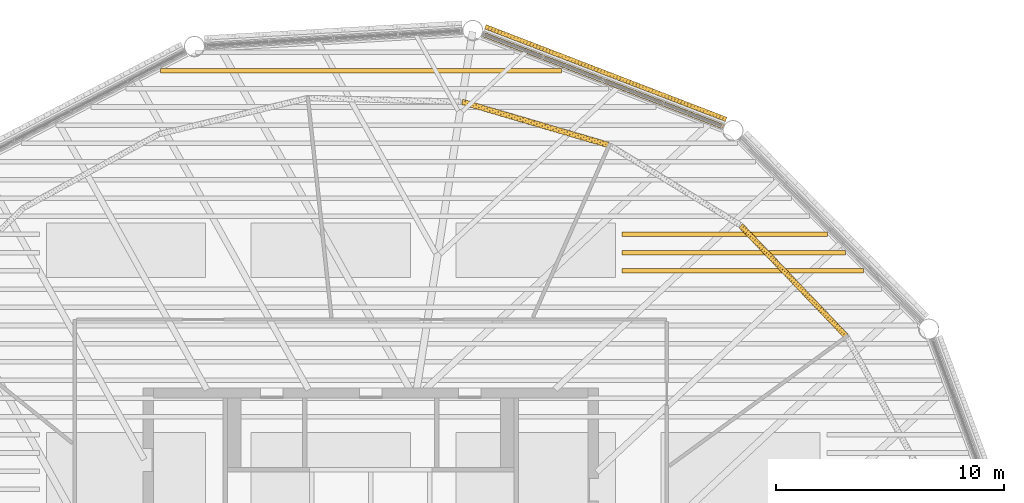
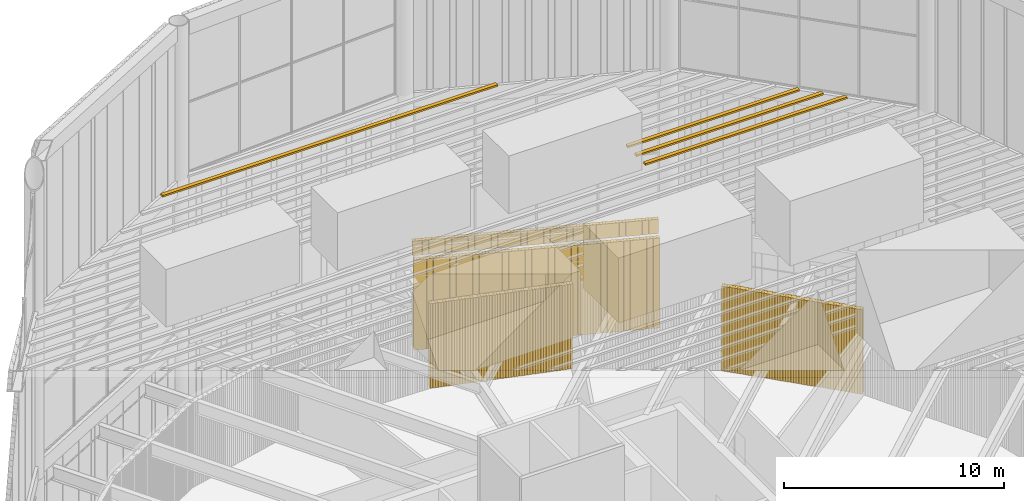
# One storey, part 106 of 117: 6 shading devices, 2 coverings.
"""IFC4 building model written with IfcOpenShell, lengths in metres."""

from ifc_helpers import new_model, si_unit, direction, frame, frame_2d, origin, origin_2d, place, context, subcontext, project, spatial, rectangle, composite_profile, extrude, material, type_object, element, save


model = new_model("IFC4")

# Units and contexts
model_context = context("Model", 3, precision=1e-05, world=origin(), true_north=direction((0.0, 1.0)))
body_context = subcontext(model_context, "Body", "Model", "MODEL_VIEW")
ifc_project = project(units=[si_unit("LENGTHUNIT", "METRE"), si_unit("AREAUNIT", "SQUARE_METRE"), si_unit("VOLUMEUNIT", "CUBIC_METRE"), si_unit("PLANEANGLEUNIT", "RADIAN"), si_unit("MASSUNIT", "GRAM", prefix="KILO")], contexts=[model_context])

# Site, building, storey
site_placement = place(None, origin())
site = spatial("IfcSite", under=ifc_project, at=site_placement, CompositionType="ELEMENT")
building_placement = place(site_placement, origin())
building = spatial("IfcBuilding", under=site, at=building_placement, Name="Tarsis Ring Headquarters", CompositionType="ELEMENT")
storey_placement = place(building_placement, frame((0.0, 0.0, 403.60009765625)))
storey = spatial("IfcBuildingStorey", under=building, at=storey_placement, Name="L95", CompositionType="ELEMENT", Elevation=403.60009765625)

# Coverings
ifc_material_1 = material(Name="Terracotta louvre", Category="masonry")
covering_type = type_object("IfcCoveringType", Name="Crown louvre fin", PredefinedType="CLADDING", material=ifc_material_1)
covering_1_placement = place(storey_placement, frame((15.489013671875, 24.464599609375, 0.0), z_axis=(0.0, 0.0, 1.0), x_axis=(-0.933251486172, 0.359201344017, 0.0)))
element("IfcCovering", 1, at=covering_1_placement, inside=storey, type_object=covering_type, Name="Crown louvre base 9", PredefinedType="CLADDING", context=body_context, shape_type="SweptSolid", body=[
    extrude(composite_profile([rectangle(XDim=0.14501953125, YDim=0.199951171875, at=frame_2d((0.072509765625, 0.0))), rectangle(XDim=0.14501953125, YDim=0.199951171875, at=frame_2d((0.2236328125, 0.0))), rectangle(XDim=0.14501953125, YDim=0.199951171875, at=frame_2d((0.375, 0.0))), rectangle(XDim=0.14501953125, YDim=0.199951171875, at=frame_2d((0.526123046875, 0.0))), rectangle(XDim=0.14501953125, YDim=0.199951171875, at=frame_2d((0.677490234375, 0.0))), rectangle(XDim=0.14501953125, YDim=0.199951171875, at=frame_2d((0.82861328125, 0.0))), rectangle(XDim=0.14501953125, YDim=0.199951171875, at=frame_2d((0.979736328125, 0.0))), rectangle(XDim=0.14501953125, YDim=0.199951171875, at=frame_2d((1.131103515625, 0.0))), rectangle(XDim=0.14501953125, YDim=0.199951171875, at=frame_2d((1.2822265625, 0.0))), rectangle(XDim=0.14501953125, YDim=0.199951171875, at=frame_2d((1.433349609375, 0.0))), rectangle(XDim=0.14501953125, YDim=0.199951171875, at=frame_2d((1.584716796875, 0.0))), rectangle(XDim=0.14501953125, YDim=0.199951171875, at=frame_2d((1.73583984375, 0.0))), rectangle(XDim=0.14501953125, YDim=0.199951171875, at=frame_2d((1.88720703125, 0.0))), rectangle(XDim=0.14501953125, YDim=0.199951171875, at=frame_2d((2.038330078125, 0.0))), rectangle(XDim=0.14501953125, YDim=0.199951171875, at=frame_2d((2.189453125, 0.0))), rectangle(XDim=0.14501953125, YDim=0.199951171875, at=frame_2d((2.3408203125, 0.0))), rectangle(XDim=0.14501953125, YDim=0.199951171875, at=frame_2d((2.491943359375, 0.0))), rectangle(XDim=0.14501953125, YDim=0.199951171875, at=frame_2d((2.64306640625, 0.0))), rectangle(XDim=0.14501953125, YDim=0.199951171875, at=frame_2d((2.79443359375, 0.0))), rectangle(XDim=0.14501953125, YDim=0.199951171875, at=frame_2d((2.945556640625, 0.0))), rectangle(XDim=0.14501953125, YDim=0.199951171875, at=frame_2d((3.096923828125, 0.0))), rectangle(XDim=0.14501953125, YDim=0.199951171875, at=frame_2d((3.248046875, 0.0))), rectangle(XDim=0.14501953125, YDim=0.199951171875, at=frame_2d((3.399169921875, 0.0))), rectangle(XDim=0.14501953125, YDim=0.199951171875, at=frame_2d((3.550537109375, 0.0))), rectangle(XDim=0.14501953125, YDim=0.199951171875, at=frame_2d((3.70166015625, 0.0))), rectangle(XDim=0.14501953125, YDim=0.199951171875, at=frame_2d((3.852783203125, 0.0))), rectangle(XDim=0.14501953125, YDim=0.199951171875, at=frame_2d((4.004150390625, 0.0))), rectangle(XDim=0.14501953125, YDim=0.199951171875, at=frame_2d((4.1552734375, 0.0))), rectangle(XDim=0.14501953125, YDim=0.199951171875, at=frame_2d((4.306640625, 0.0))), rectangle(XDim=0.14501953125, YDim=0.199951171875, at=frame_2d((4.457763671875, 0.0))), rectangle(XDim=0.14501953125, YDim=0.199951171875, at=frame_2d((4.60888671875, 0.0))), rectangle(XDim=0.14501953125, YDim=0.199951171875, at=frame_2d((4.76025390625, 0.0))), rectangle(XDim=0.14501953125, YDim=0.199951171875, at=frame_2d((4.911376953125, 0.0))), rectangle(XDim=0.14501953125, YDim=0.199951171875, at=frame_2d((5.0625, 0.0))), rectangle(XDim=0.14501953125, YDim=0.199951171875, at=frame_2d((5.2138671875, 0.0))), rectangle(XDim=0.14501953125, YDim=0.199951171875, at=frame_2d((5.364990234375, 0.0))), rectangle(XDim=0.14501953125, YDim=0.199951171875, at=frame_2d((5.516357421875, 0.0))), rectangle(XDim=0.14501953125, YDim=0.199951171875, at=frame_2d((5.66748046875, 0.0))), rectangle(XDim=0.14501953125, YDim=0.199951171875, at=frame_2d((5.818603515625, 0.0))), rectangle(XDim=0.14501953125, YDim=0.199951171875, at=frame_2d((5.969970703125, 0.0))), rectangle(XDim=0.14501953125, YDim=0.199951171875, at=frame_2d((6.12109375, 0.0))), rectangle(XDim=0.14501953125, YDim=0.199951171875, at=frame_2d((6.2724609375, 0.0))), rectangle(XDim=0.14501953125, YDim=0.199951171875, at=frame_2d((6.423583984375, 0.0))), rectangle(XDim=0.14501953125, YDim=0.199951171875, at=frame_2d((6.57470703125, 0.0))), rectangle(XDim=0.14501953125, YDim=0.199951171875, at=frame_2d((6.72607421875, 0.0))), rectangle(XDim=0.14501953125, YDim=0.199951171875, at=frame_2d((6.877197265625, 0.0))), rectangle(XDim=0.14501953125, YDim=0.199951171875, at=frame_2d((7.0283203125, 0.0))), rectangle(XDim=0.14501953125, YDim=0.199951171875, at=frame_2d((7.1796875, 0.0))), rectangle(XDim=0.14501953125, YDim=0.199951171875, at=frame_2d((7.330810546875, 0.0))), rectangle(XDim=0.14501953125, YDim=0.199951171875, at=frame_2d((7.482177734375, 0.0))), rectangle(XDim=0.14501953125, YDim=0.199951171875, at=frame_2d((7.63330078125, 0.0))), rectangle(XDim=0.14501953125, YDim=0.199951171875, at=frame_2d((7.784423828125, 0.0))), rectangle(XDim=0.14501953125, YDim=0.199951171875, at=frame_2d((7.935791015625, 0.0))), rectangle(XDim=0.14501953125, YDim=0.199951171875, at=frame_2d((8.0869140625, 0.0))), rectangle(XDim=0.14501953125, YDim=0.199951171875, at=frame_2d((8.238037109375, 0.0))), rectangle(XDim=0.14501953125, YDim=0.199951171875, at=frame_2d((8.389404296875, 0.0))), rectangle(XDim=0.14501953125, YDim=0.199951171875, at=frame_2d((8.54052734375, 0.0))), rectangle(XDim=0.14501953125, YDim=0.199951171875, at=frame_2d((8.69189453125, 0.0))), rectangle(XDim=0.14501953125, YDim=0.199951171875, at=frame_2d((8.843017578125, 0.0))), rectangle(XDim=0.14501953125, YDim=0.199951171875, at=frame_2d((8.994140625, 0.0))), rectangle(XDim=0.14501953125, YDim=0.199951171875, at=frame_2d((9.1455078125, 0.0))), rectangle(XDim=0.14501953125, YDim=0.199951171875, at=frame_2d((9.296630859375, 0.0))), rectangle(XDim=0.14501953125, YDim=0.199951171875, at=frame_2d((9.44775390625, 0.0))), rectangle(XDim=0.14501953125, YDim=0.199951171875, at=frame_2d((9.59912109375, 0.0))), rectangle(XDim=0.14501953125, YDim=0.199951171875, at=frame_2d((9.750244140625, 0.0))), rectangle(XDim=0.14501953125, YDim=0.199951171875, at=frame_2d((9.901611328125, 0.0))), rectangle(XDim=0.14501953125, YDim=0.199951171875, at=frame_2d((10.052734375, 0.0))), rectangle(XDim=0.14501953125, YDim=0.199951171875, at=frame_2d((10.203857421875, 0.0))), rectangle(XDim=0.14501953125, YDim=0.199951171875, at=frame_2d((10.355224609375, 0.0))), rectangle(XDim=0.14501953125, YDim=0.199951171875, at=frame_2d((10.50634765625, 0.0))), rectangle(XDim=0.14501953125, YDim=0.199951171875, at=frame_2d((10.657470703125, 0.0))), rectangle(XDim=0.14501953125, YDim=0.199951171875, at=frame_2d((10.808837890625, 0.0))), rectangle(XDim=0.14501953125, YDim=0.199951171875, at=frame_2d((10.9599609375, 0.0))), rectangle(XDim=0.14501953125, YDim=0.199951171875, at=frame_2d((11.111328125, 0.0))), rectangle(XDim=0.14501953125, YDim=0.199951171875, at=frame_2d((11.262451171875, 0.0)))]), origin(), (0.0, 0.0, 1.0), 5.0),
])
covering_2_placement = place(storey_placement, frame((15.61474609375, 24.791259765625, 5.0), z_axis=(0.0, 0.0, 1.0), x_axis=(-0.933251486172, 0.359201344017, 0.0)))
element("IfcCovering", 2, at=covering_2_placement, inside=storey, type_object=covering_type, Name="Crown louvre fascia R9", PredefinedType="CLADDING", context=body_context, shape_type="SweptSolid", body=[
    extrude(composite_profile([rectangle(XDim=0.14501953125, YDim=0.199951171875, at=frame_2d((0.072509765625, 0.0))), rectangle(XDim=0.14501953125, YDim=0.199951171875, at=frame_2d((0.2236328125, 0.0))), rectangle(XDim=0.14501953125, YDim=0.199951171875, at=frame_2d((0.375, 0.0))), rectangle(XDim=0.14501953125, YDim=0.199951171875, at=frame_2d((0.526123046875, 0.0))), rectangle(XDim=0.14501953125, YDim=0.199951171875, at=frame_2d((0.677490234375, 0.0))), rectangle(XDim=0.14501953125, YDim=0.199951171875, at=frame_2d((0.82861328125, 0.0))), rectangle(XDim=0.14501953125, YDim=0.199951171875, at=frame_2d((0.979736328125, 0.0))), rectangle(XDim=0.14501953125, YDim=0.199951171875, at=frame_2d((1.131103515625, 0.0))), rectangle(XDim=0.14501953125, YDim=0.199951171875, at=frame_2d((1.2822265625, 0.0))), rectangle(XDim=0.14501953125, YDim=0.199951171875, at=frame_2d((1.433349609375, 0.0))), rectangle(XDim=0.14501953125, YDim=0.199951171875, at=frame_2d((1.584716796875, 0.0))), rectangle(XDim=0.14501953125, YDim=0.199951171875, at=frame_2d((1.73583984375, 0.0))), rectangle(XDim=0.14501953125, YDim=0.199951171875, at=frame_2d((1.88720703125, 0.0))), rectangle(XDim=0.14501953125, YDim=0.199951171875, at=frame_2d((2.038330078125, 0.0))), rectangle(XDim=0.14501953125, YDim=0.199951171875, at=frame_2d((2.189453125, 0.0))), rectangle(XDim=0.14501953125, YDim=0.199951171875, at=frame_2d((2.3408203125, 0.0))), rectangle(XDim=0.14501953125, YDim=0.199951171875, at=frame_2d((2.491943359375, 0.0))), rectangle(XDim=0.14501953125, YDim=0.199951171875, at=frame_2d((2.64306640625, 0.0))), rectangle(XDim=0.14501953125, YDim=0.199951171875, at=frame_2d((2.79443359375, 0.0))), rectangle(XDim=0.14501953125, YDim=0.199951171875, at=frame_2d((2.945556640625, 0.0))), rectangle(XDim=0.14501953125, YDim=0.199951171875, at=frame_2d((3.096923828125, 0.0))), rectangle(XDim=0.14501953125, YDim=0.199951171875, at=frame_2d((3.248046875, 0.0))), rectangle(XDim=0.14501953125, YDim=0.199951171875, at=frame_2d((3.399169921875, 0.0))), rectangle(XDim=0.14501953125, YDim=0.199951171875, at=frame_2d((3.550537109375, 0.0))), rectangle(XDim=0.14501953125, YDim=0.199951171875, at=frame_2d((3.70166015625, 0.0))), rectangle(XDim=0.14501953125, YDim=0.199951171875, at=frame_2d((3.852783203125, 0.0))), rectangle(XDim=0.14501953125, YDim=0.199951171875, at=frame_2d((4.004150390625, 0.0))), rectangle(XDim=0.14501953125, YDim=0.199951171875, at=frame_2d((4.1552734375, 0.0))), rectangle(XDim=0.14501953125, YDim=0.199951171875, at=frame_2d((4.306640625, 0.0))), rectangle(XDim=0.14501953125, YDim=0.199951171875, at=frame_2d((4.457763671875, 0.0))), rectangle(XDim=0.14501953125, YDim=0.199951171875, at=frame_2d((4.60888671875, 0.0))), rectangle(XDim=0.14501953125, YDim=0.199951171875, at=frame_2d((4.76025390625, 0.0))), rectangle(XDim=0.14501953125, YDim=0.199951171875, at=frame_2d((4.911376953125, 0.0))), rectangle(XDim=0.14501953125, YDim=0.199951171875, at=frame_2d((5.0625, 0.0))), rectangle(XDim=0.14501953125, YDim=0.199951171875, at=frame_2d((5.2138671875, 0.0))), rectangle(XDim=0.14501953125, YDim=0.199951171875, at=frame_2d((5.364990234375, 0.0))), rectangle(XDim=0.14501953125, YDim=0.199951171875, at=frame_2d((5.516357421875, 0.0))), rectangle(XDim=0.14501953125, YDim=0.199951171875, at=frame_2d((5.66748046875, 0.0))), rectangle(XDim=0.14501953125, YDim=0.199951171875, at=frame_2d((5.818603515625, 0.0))), rectangle(XDim=0.14501953125, YDim=0.199951171875, at=frame_2d((5.969970703125, 0.0))), rectangle(XDim=0.14501953125, YDim=0.199951171875, at=frame_2d((6.12109375, 0.0))), rectangle(XDim=0.14501953125, YDim=0.199951171875, at=frame_2d((6.2724609375, 0.0))), rectangle(XDim=0.14501953125, YDim=0.199951171875, at=frame_2d((6.423583984375, 0.0))), rectangle(XDim=0.14501953125, YDim=0.199951171875, at=frame_2d((6.57470703125, 0.0))), rectangle(XDim=0.14501953125, YDim=0.199951171875, at=frame_2d((6.72607421875, 0.0))), rectangle(XDim=0.14501953125, YDim=0.199951171875, at=frame_2d((6.877197265625, 0.0))), rectangle(XDim=0.14501953125, YDim=0.199951171875, at=frame_2d((7.0283203125, 0.0))), rectangle(XDim=0.14501953125, YDim=0.199951171875, at=frame_2d((7.1796875, 0.0))), rectangle(XDim=0.14501953125, YDim=0.199951171875, at=frame_2d((7.330810546875, 0.0))), rectangle(XDim=0.14501953125, YDim=0.199951171875, at=frame_2d((7.482177734375, 0.0))), rectangle(XDim=0.14501953125, YDim=0.199951171875, at=frame_2d((7.63330078125, 0.0))), rectangle(XDim=0.14501953125, YDim=0.199951171875, at=frame_2d((7.784423828125, 0.0))), rectangle(XDim=0.14501953125, YDim=0.199951171875, at=frame_2d((7.935791015625, 0.0))), rectangle(XDim=0.14501953125, YDim=0.199951171875, at=frame_2d((8.0869140625, 0.0))), rectangle(XDim=0.14501953125, YDim=0.199951171875, at=frame_2d((8.238037109375, 0.0))), rectangle(XDim=0.14501953125, YDim=0.199951171875, at=frame_2d((8.389404296875, 0.0))), rectangle(XDim=0.14501953125, YDim=0.199951171875, at=frame_2d((8.54052734375, 0.0))), rectangle(XDim=0.14501953125, YDim=0.199951171875, at=frame_2d((8.69189453125, 0.0))), rectangle(XDim=0.14501953125, YDim=0.199951171875, at=frame_2d((8.843017578125, 0.0))), rectangle(XDim=0.14501953125, YDim=0.199951171875, at=frame_2d((8.994140625, 0.0))), rectangle(XDim=0.14501953125, YDim=0.199951171875, at=frame_2d((9.1455078125, 0.0))), rectangle(XDim=0.14501953125, YDim=0.199951171875, at=frame_2d((9.296630859375, 0.0))), rectangle(XDim=0.14501953125, YDim=0.199951171875, at=frame_2d((9.44775390625, 0.0))), rectangle(XDim=0.14501953125, YDim=0.199951171875, at=frame_2d((9.59912109375, 0.0))), rectangle(XDim=0.14501953125, YDim=0.199951171875, at=frame_2d((9.750244140625, 0.0))), rectangle(XDim=0.14501953125, YDim=0.199951171875, at=frame_2d((9.901611328125, 0.0))), rectangle(XDim=0.14501953125, YDim=0.199951171875, at=frame_2d((10.052734375, 0.0))), rectangle(XDim=0.14501953125, YDim=0.199951171875, at=frame_2d((10.203857421875, 0.0))), rectangle(XDim=0.14501953125, YDim=0.199951171875, at=frame_2d((10.355224609375, 0.0))), rectangle(XDim=0.14501953125, YDim=0.199951171875, at=frame_2d((10.50634765625, 0.0))), rectangle(XDim=0.14501953125, YDim=0.199951171875, at=frame_2d((10.657470703125, 0.0))), rectangle(XDim=0.14501953125, YDim=0.199951171875, at=frame_2d((10.808837890625, 0.0))), rectangle(XDim=0.14501953125, YDim=0.199951171875, at=frame_2d((10.9599609375, 0.0))), rectangle(XDim=0.14501953125, YDim=0.199951171875, at=frame_2d((11.111328125, 0.0))), rectangle(XDim=0.14501953125, YDim=0.199951171875, at=frame_2d((11.262451171875, 0.0)))]), origin(), (0.0, 0.0, 1.0), 0.7998046875),
])

# Shading devices
ifc_material_2 = material(Name="Aluminium louvre", Category="aluminium")
shading_device_type_1 = type_object("IfcShadingDeviceType", Name="Crown roof louvre blade", PredefinedType="USERDEFINED", material=ifc_material_2)
shading_device_1_placement = place(storey_placement, frame((16.34619140625, 18.1357421875, 14.39990234375), z_axis=(0.0, 0.0, 1.0), x_axis=(1.0, 0.0, 0.0)))
element("IfcShadingDevice", 3, at=shading_device_1_placement, inside=storey, type_object=shading_device_type_1, Name="Crown roof louvre 100", ObjectType="Crown roof louvre", PredefinedType="USERDEFINED", context=body_context, shape_type="SweptSolid", body=[
    extrude(rectangle(XDim=10.59716796875, YDim=0.199951171875, at=origin_2d()), origin(), (0.0, 0.0, 1.0), 0.10009765625),
])
shading_device_2_placement = place(storey_placement, frame((15.95166015625, 18.935791015625, 14.39990234375), z_axis=(0.0, 0.0, 1.0), x_axis=(1.0, 0.0, 0.0)))
element("IfcShadingDevice", 4, at=shading_device_2_placement, inside=storey, type_object=shading_device_type_1, Name="Crown roof louvre 102", ObjectType="Crown roof louvre", PredefinedType="USERDEFINED", context=body_context, shape_type="SweptSolid", body=[
    extrude(rectangle(XDim=9.80810546875, YDim=0.199951171875, at=origin_2d()), origin(), (0.0, 0.0, 1.0), 0.10009765625),
])
shading_device_3_placement = place(storey_placement, frame((15.55712890625, 19.73583984375, 14.39990234375), z_axis=(0.0, 0.0, 1.0), x_axis=(1.0, 0.0, 0.0)))
element("IfcShadingDevice", 5, at=shading_device_3_placement, inside=storey, type_object=shading_device_type_1, Name="Crown roof louvre 104", ObjectType="Crown roof louvre", PredefinedType="USERDEFINED", context=body_context, shape_type="SweptSolid", body=[
    extrude(rectangle(XDim=9.01904296875, YDim=0.199951171875, at=origin_2d()), origin(), (0.0, 0.0, 1.0), 0.10009765625),
])
shading_device_4_placement = place(storey_placement, frame((-0.43017578125, 26.935791015625, 14.39990234375), z_axis=(0.0, 0.0, 1.0), x_axis=(1.0, 0.0, 0.0)))
element("IfcShadingDevice", 6, at=shading_device_4_placement, inside=storey, type_object=shading_device_type_1, Name="Crown roof louvre 113", ObjectType="Crown roof louvre", PredefinedType="USERDEFINED", context=body_context, shape_type="SweptSolid", body=[
    extrude(rectangle(XDim=17.60546875, YDim=0.199951171875, at=origin_2d()), origin(), (0.0, 0.0, 1.0), 0.10009765625),
])
shading_device_type_2 = type_object("IfcShadingDeviceType", Name="Plant louvre fin", PredefinedType="USERDEFINED", material=ifc_material_2)
shading_device_5_placement = place(storey_placement, frame((20.88916015625, 15.263916015625, 0.0), z_axis=(0.0, 0.0, 1.0), x_axis=(-0.689876866078, 0.723947550035, 0.0)))
element("IfcShadingDevice", 7, at=shading_device_5_placement, inside=storey, type_object=shading_device_type_2, Name="Louvre L95-21", ObjectType="Louvre", PredefinedType="USERDEFINED", context=body_context, shape_type="SweptSolid", body=[
    extrude(composite_profile([rectangle(XDim=0.1201171875, YDim=0.239990234375, at=frame_2d((0.076171875, 0.0), x_axis=(0.990268068742, 0.13917310096))), rectangle(XDim=0.1201171875, YDim=0.239990234375, at=frame_2d((0.202392578125, 0.0), x_axis=(0.990268068742, 0.13917310096))), rectangle(XDim=0.1201171875, YDim=0.239990234375, at=frame_2d((0.328857421875, 0.0), x_axis=(0.990268068742, 0.13917310096))), rectangle(XDim=0.1201171875, YDim=0.239990234375, at=frame_2d((0.455078125, 0.0), x_axis=(0.990268068742, 0.13917310096))), rectangle(XDim=0.1201171875, YDim=0.239990234375, at=frame_2d((0.58154296875, 0.0), x_axis=(0.990268068742, 0.13917310096))), rectangle(XDim=0.1201171875, YDim=0.239990234375, at=frame_2d((0.707763671875, 0.0), x_axis=(0.990268068742, 0.13917310096))), rectangle(XDim=0.1201171875, YDim=0.239990234375, at=frame_2d((0.834228515625, 0.0), x_axis=(0.990268068742, 0.13917310096))), rectangle(XDim=0.1201171875, YDim=0.239990234375, at=frame_2d((0.96044921875, 0.0), x_axis=(0.990268068742, 0.13917310096))), rectangle(XDim=0.1201171875, YDim=0.239990234375, at=frame_2d((1.0869140625, 0.0), x_axis=(0.990268068742, 0.13917310096))), rectangle(XDim=0.1201171875, YDim=0.239990234375, at=frame_2d((1.213134765625, 0.0), x_axis=(0.990268068742, 0.13917310096))), rectangle(XDim=0.1201171875, YDim=0.239990234375, at=frame_2d((1.33935546875, 0.0), x_axis=(0.990268068742, 0.13917310096))), rectangle(XDim=0.1201171875, YDim=0.239990234375, at=frame_2d((1.4658203125, 0.0), x_axis=(0.990268068742, 0.13917310096))), rectangle(XDim=0.1201171875, YDim=0.239990234375, at=frame_2d((1.592041015625, 0.0), x_axis=(0.990268068742, 0.13917310096))), rectangle(XDim=0.1201171875, YDim=0.239990234375, at=frame_2d((1.718505859375, 0.0), x_axis=(0.990268068742, 0.13917310096))), rectangle(XDim=0.1201171875, YDim=0.239990234375, at=frame_2d((1.8447265625, 0.0), x_axis=(0.990268068742, 0.13917310096))), rectangle(XDim=0.1201171875, YDim=0.239990234375, at=frame_2d((1.97119140625, 0.0), x_axis=(0.990268068742, 0.13917310096))), rectangle(XDim=0.1201171875, YDim=0.239990234375, at=frame_2d((2.097412109375, 0.0), x_axis=(0.990268068742, 0.13917310096))), rectangle(XDim=0.1201171875, YDim=0.239990234375, at=frame_2d((2.223876953125, 0.0), x_axis=(0.990268068742, 0.13917310096))), rectangle(XDim=0.1201171875, YDim=0.239990234375, at=frame_2d((2.35009765625, 0.0), x_axis=(0.990268068742, 0.13917310096))), rectangle(XDim=0.1201171875, YDim=0.239990234375, at=frame_2d((2.476318359375, 0.0), x_axis=(0.990268068742, 0.13917310096))), rectangle(XDim=0.1201171875, YDim=0.239990234375, at=frame_2d((2.602783203125, 0.0), x_axis=(0.990268068742, 0.13917310096))), rectangle(XDim=0.1201171875, YDim=0.239990234375, at=frame_2d((2.72900390625, 0.0), x_axis=(0.990268068742, 0.13917310096))), rectangle(XDim=0.1201171875, YDim=0.239990234375, at=frame_2d((2.85546875, 0.0), x_axis=(0.990268068742, 0.13917310096))), rectangle(XDim=0.1201171875, YDim=0.239990234375, at=frame_2d((2.981689453125, 0.0), x_axis=(0.990268068742, 0.13917310096))), rectangle(XDim=0.1201171875, YDim=0.239990234375, at=frame_2d((3.108154296875, 0.0), x_axis=(0.990268068742, 0.13917310096))), rectangle(XDim=0.1201171875, YDim=0.239990234375, at=frame_2d((3.234375, 0.0), x_axis=(0.990268068742, 0.13917310096))), rectangle(XDim=0.1201171875, YDim=0.239990234375, at=frame_2d((3.36083984375, 0.0), x_axis=(0.990268068742, 0.13917310096))), rectangle(XDim=0.1201171875, YDim=0.239990234375, at=frame_2d((3.487060546875, 0.0), x_axis=(0.990268068742, 0.13917310096))), rectangle(XDim=0.1201171875, YDim=0.239990234375, at=frame_2d((3.61328125, 0.0), x_axis=(0.990268068742, 0.13917310096))), rectangle(XDim=0.1201171875, YDim=0.239990234375, at=frame_2d((3.73974609375, 0.0), x_axis=(0.990268068742, 0.13917310096))), rectangle(XDim=0.1201171875, YDim=0.239990234375, at=frame_2d((3.865966796875, 0.0), x_axis=(0.990268068742, 0.13917310096))), rectangle(XDim=0.1201171875, YDim=0.239990234375, at=frame_2d((3.992431640625, 0.0), x_axis=(0.990268068742, 0.13917310096))), rectangle(XDim=0.1201171875, YDim=0.239990234375, at=frame_2d((4.11865234375, 0.0), x_axis=(0.990268068742, 0.13917310096))), rectangle(XDim=0.1201171875, YDim=0.239990234375, at=frame_2d((4.2451171875, 0.0), x_axis=(0.990268068742, 0.13917310096))), rectangle(XDim=0.1201171875, YDim=0.239990234375, at=frame_2d((4.371337890625, 0.0), x_axis=(0.990268068742, 0.13917310096))), rectangle(XDim=0.1201171875, YDim=0.239990234375, at=frame_2d((4.49755859375, 0.0), x_axis=(0.990268068742, 0.13917310096))), rectangle(XDim=0.1201171875, YDim=0.239990234375, at=frame_2d((4.6240234375, 0.0), x_axis=(0.990268068742, 0.13917310096))), rectangle(XDim=0.1201171875, YDim=0.239990234375, at=frame_2d((4.750244140625, 0.0), x_axis=(0.990268068742, 0.13917310096))), rectangle(XDim=0.1201171875, YDim=0.239990234375, at=frame_2d((4.876708984375, 0.0), x_axis=(0.990268068742, 0.13917310096))), rectangle(XDim=0.1201171875, YDim=0.239990234375, at=frame_2d((5.0029296875, 0.0), x_axis=(0.990268068742, 0.13917310096))), rectangle(XDim=0.1201171875, YDim=0.239990234375, at=frame_2d((5.12939453125, 0.0), x_axis=(0.990268068742, 0.13917310096))), rectangle(XDim=0.1201171875, YDim=0.239990234375, at=frame_2d((5.255615234375, 0.0), x_axis=(0.990268068742, 0.13917310096))), rectangle(XDim=0.1201171875, YDim=0.239990234375, at=frame_2d((5.382080078125, 0.0), x_axis=(0.990268068742, 0.13917310096))), rectangle(XDim=0.1201171875, YDim=0.239990234375, at=frame_2d((5.50830078125, 0.0), x_axis=(0.990268068742, 0.13917310096))), rectangle(XDim=0.1201171875, YDim=0.239990234375, at=frame_2d((5.634521484375, 0.0), x_axis=(0.990268068742, 0.13917310096))), rectangle(XDim=0.1201171875, YDim=0.239990234375, at=frame_2d((5.760986328125, 0.0), x_axis=(0.990268068742, 0.13917310096))), rectangle(XDim=0.1201171875, YDim=0.239990234375, at=frame_2d((5.88720703125, 0.0), x_axis=(0.990268068742, 0.13917310096))), rectangle(XDim=0.1201171875, YDim=0.239990234375, at=frame_2d((6.013671875, 0.0), x_axis=(0.990268068742, 0.13917310096))), rectangle(XDim=0.1201171875, YDim=0.239990234375, at=frame_2d((6.139892578125, 0.0), x_axis=(0.990268068742, 0.13917310096))), rectangle(XDim=0.1201171875, YDim=0.239990234375, at=frame_2d((6.266357421875, 0.0), x_axis=(0.990268068742, 0.13917310096))), rectangle(XDim=0.1201171875, YDim=0.239990234375, at=frame_2d((6.392578125, 0.0), x_axis=(0.990268068742, 0.13917310096))), rectangle(XDim=0.1201171875, YDim=0.239990234375, at=frame_2d((6.51904296875, 0.0), x_axis=(0.990268068742, 0.13917310096))), rectangle(XDim=0.1201171875, YDim=0.239990234375, at=frame_2d((6.645263671875, 0.0), x_axis=(0.990268068742, 0.13917310096)))]), origin(), (0.0, 0.0, 1.0), 4.699951171875),
])
shading_device_6_placement = place(storey_placement, frame((10.45849609375, 23.66357421875, 0.0), z_axis=(0.0, 0.0, 1.0), x_axis=(-0.959427554393, 0.282009371254, 0.0)))
element("IfcShadingDevice", 8, at=shading_device_6_placement, inside=storey, type_object=shading_device_type_2, Name="Louvre L95-23", ObjectType="Louvre", PredefinedType="USERDEFINED", context=body_context, shape_type="SweptSolid", body=[
    extrude(composite_profile([rectangle(XDim=0.1201171875, YDim=0.239990234375, at=frame_2d((0.076171875, 0.0), x_axis=(0.990268068742, 0.13917310096))), rectangle(XDim=0.1201171875, YDim=0.239990234375, at=frame_2d((0.202392578125, 0.0), x_axis=(0.990268068742, 0.13917310096))), rectangle(XDim=0.1201171875, YDim=0.239990234375, at=frame_2d((0.328857421875, 0.0), x_axis=(0.990268068742, 0.13917310096))), rectangle(XDim=0.1201171875, YDim=0.239990234375, at=frame_2d((0.455078125, 0.0), x_axis=(0.990268068742, 0.13917310096))), rectangle(XDim=0.1201171875, YDim=0.239990234375, at=frame_2d((0.58154296875, 0.0), x_axis=(0.990268068742, 0.13917310096))), rectangle(XDim=0.1201171875, YDim=0.239990234375, at=frame_2d((0.707763671875, 0.0), x_axis=(0.990268068742, 0.13917310096))), rectangle(XDim=0.1201171875, YDim=0.239990234375, at=frame_2d((0.834228515625, 0.0), x_axis=(0.990268068742, 0.13917310096))), rectangle(XDim=0.1201171875, YDim=0.239990234375, at=frame_2d((0.96044921875, 0.0), x_axis=(0.990268068742, 0.13917310096))), rectangle(XDim=0.1201171875, YDim=0.239990234375, at=frame_2d((1.0869140625, 0.0), x_axis=(0.990268068742, 0.13917310096))), rectangle(XDim=0.1201171875, YDim=0.239990234375, at=frame_2d((1.213134765625, 0.0), x_axis=(0.990268068742, 0.13917310096))), rectangle(XDim=0.1201171875, YDim=0.239990234375, at=frame_2d((1.33935546875, 0.0), x_axis=(0.990268068742, 0.13917310096))), rectangle(XDim=0.1201171875, YDim=0.239990234375, at=frame_2d((1.4658203125, 0.0), x_axis=(0.990268068742, 0.13917310096))), rectangle(XDim=0.1201171875, YDim=0.239990234375, at=frame_2d((1.592041015625, 0.0), x_axis=(0.990268068742, 0.13917310096))), rectangle(XDim=0.1201171875, YDim=0.239990234375, at=frame_2d((1.718505859375, 0.0), x_axis=(0.990268068742, 0.13917310096))), rectangle(XDim=0.1201171875, YDim=0.239990234375, at=frame_2d((1.8447265625, 0.0), x_axis=(0.990268068742, 0.13917310096))), rectangle(XDim=0.1201171875, YDim=0.239990234375, at=frame_2d((1.97119140625, 0.0), x_axis=(0.990268068742, 0.13917310096))), rectangle(XDim=0.1201171875, YDim=0.239990234375, at=frame_2d((2.097412109375, 0.0), x_axis=(0.990268068742, 0.13917310096))), rectangle(XDim=0.1201171875, YDim=0.239990234375, at=frame_2d((2.223876953125, 0.0), x_axis=(0.990268068742, 0.13917310096))), rectangle(XDim=0.1201171875, YDim=0.239990234375, at=frame_2d((2.35009765625, 0.0), x_axis=(0.990268068742, 0.13917310096))), rectangle(XDim=0.1201171875, YDim=0.239990234375, at=frame_2d((2.476318359375, 0.0), x_axis=(0.990268068742, 0.13917310096))), rectangle(XDim=0.1201171875, YDim=0.239990234375, at=frame_2d((2.602783203125, 0.0), x_axis=(0.990268068742, 0.13917310096))), rectangle(XDim=0.1201171875, YDim=0.239990234375, at=frame_2d((2.72900390625, 0.0), x_axis=(0.990268068742, 0.13917310096))), rectangle(XDim=0.1201171875, YDim=0.239990234375, at=frame_2d((2.85546875, 0.0), x_axis=(0.990268068742, 0.13917310096))), rectangle(XDim=0.1201171875, YDim=0.239990234375, at=frame_2d((2.981689453125, 0.0), x_axis=(0.990268068742, 0.13917310096))), rectangle(XDim=0.1201171875, YDim=0.239990234375, at=frame_2d((3.108154296875, 0.0), x_axis=(0.990268068742, 0.13917310096))), rectangle(XDim=0.1201171875, YDim=0.239990234375, at=frame_2d((3.234375, 0.0), x_axis=(0.990268068742, 0.13917310096))), rectangle(XDim=0.1201171875, YDim=0.239990234375, at=frame_2d((3.36083984375, 0.0), x_axis=(0.990268068742, 0.13917310096))), rectangle(XDim=0.1201171875, YDim=0.239990234375, at=frame_2d((3.487060546875, 0.0), x_axis=(0.990268068742, 0.13917310096))), rectangle(XDim=0.1201171875, YDim=0.239990234375, at=frame_2d((3.61328125, 0.0), x_axis=(0.990268068742, 0.13917310096))), rectangle(XDim=0.1201171875, YDim=0.239990234375, at=frame_2d((3.73974609375, 0.0), x_axis=(0.990268068742, 0.13917310096))), rectangle(XDim=0.1201171875, YDim=0.239990234375, at=frame_2d((3.865966796875, 0.0), x_axis=(0.990268068742, 0.13917310096))), rectangle(XDim=0.1201171875, YDim=0.239990234375, at=frame_2d((3.992431640625, 0.0), x_axis=(0.990268068742, 0.13917310096))), rectangle(XDim=0.1201171875, YDim=0.239990234375, at=frame_2d((4.11865234375, 0.0), x_axis=(0.990268068742, 0.13917310096))), rectangle(XDim=0.1201171875, YDim=0.239990234375, at=frame_2d((4.2451171875, 0.0), x_axis=(0.990268068742, 0.13917310096))), rectangle(XDim=0.1201171875, YDim=0.239990234375, at=frame_2d((4.371337890625, 0.0), x_axis=(0.990268068742, 0.13917310096))), rectangle(XDim=0.1201171875, YDim=0.239990234375, at=frame_2d((4.49755859375, 0.0), x_axis=(0.990268068742, 0.13917310096))), rectangle(XDim=0.1201171875, YDim=0.239990234375, at=frame_2d((4.6240234375, 0.0), x_axis=(0.990268068742, 0.13917310096))), rectangle(XDim=0.1201171875, YDim=0.239990234375, at=frame_2d((4.750244140625, 0.0), x_axis=(0.990268068742, 0.13917310096))), rectangle(XDim=0.1201171875, YDim=0.239990234375, at=frame_2d((4.876708984375, 0.0), x_axis=(0.990268068742, 0.13917310096))), rectangle(XDim=0.1201171875, YDim=0.239990234375, at=frame_2d((5.0029296875, 0.0), x_axis=(0.990268068742, 0.13917310096))), rectangle(XDim=0.1201171875, YDim=0.239990234375, at=frame_2d((5.12939453125, 0.0), x_axis=(0.990268068742, 0.13917310096))), rectangle(XDim=0.1201171875, YDim=0.239990234375, at=frame_2d((5.255615234375, 0.0), x_axis=(0.990268068742, 0.13917310096))), rectangle(XDim=0.1201171875, YDim=0.239990234375, at=frame_2d((5.382080078125, 0.0), x_axis=(0.990268068742, 0.13917310096))), rectangle(XDim=0.1201171875, YDim=0.239990234375, at=frame_2d((5.50830078125, 0.0), x_axis=(0.990268068742, 0.13917310096))), rectangle(XDim=0.1201171875, YDim=0.239990234375, at=frame_2d((5.634521484375, 0.0), x_axis=(0.990268068742, 0.13917310096))), rectangle(XDim=0.1201171875, YDim=0.239990234375, at=frame_2d((5.760986328125, 0.0), x_axis=(0.990268068742, 0.13917310096))), rectangle(XDim=0.1201171875, YDim=0.239990234375, at=frame_2d((5.88720703125, 0.0), x_axis=(0.990268068742, 0.13917310096))), rectangle(XDim=0.1201171875, YDim=0.239990234375, at=frame_2d((6.013671875, 0.0), x_axis=(0.990268068742, 0.13917310096))), rectangle(XDim=0.1201171875, YDim=0.239990234375, at=frame_2d((6.139892578125, 0.0), x_axis=(0.990268068742, 0.13917310096))), rectangle(XDim=0.1201171875, YDim=0.239990234375, at=frame_2d((6.266357421875, 0.0), x_axis=(0.990268068742, 0.13917310096))), rectangle(XDim=0.1201171875, YDim=0.239990234375, at=frame_2d((6.392578125, 0.0), x_axis=(0.990268068742, 0.13917310096))), rectangle(XDim=0.1201171875, YDim=0.239990234375, at=frame_2d((6.51904296875, 0.0), x_axis=(0.990268068742, 0.13917310096))), rectangle(XDim=0.1201171875, YDim=0.239990234375, at=frame_2d((6.645263671875, 0.0), x_axis=(0.990268068742, 0.13917310096)))]), origin(), (0.0, 0.0, 1.0), 4.699951171875),
])

save(model, "model.ifc")
